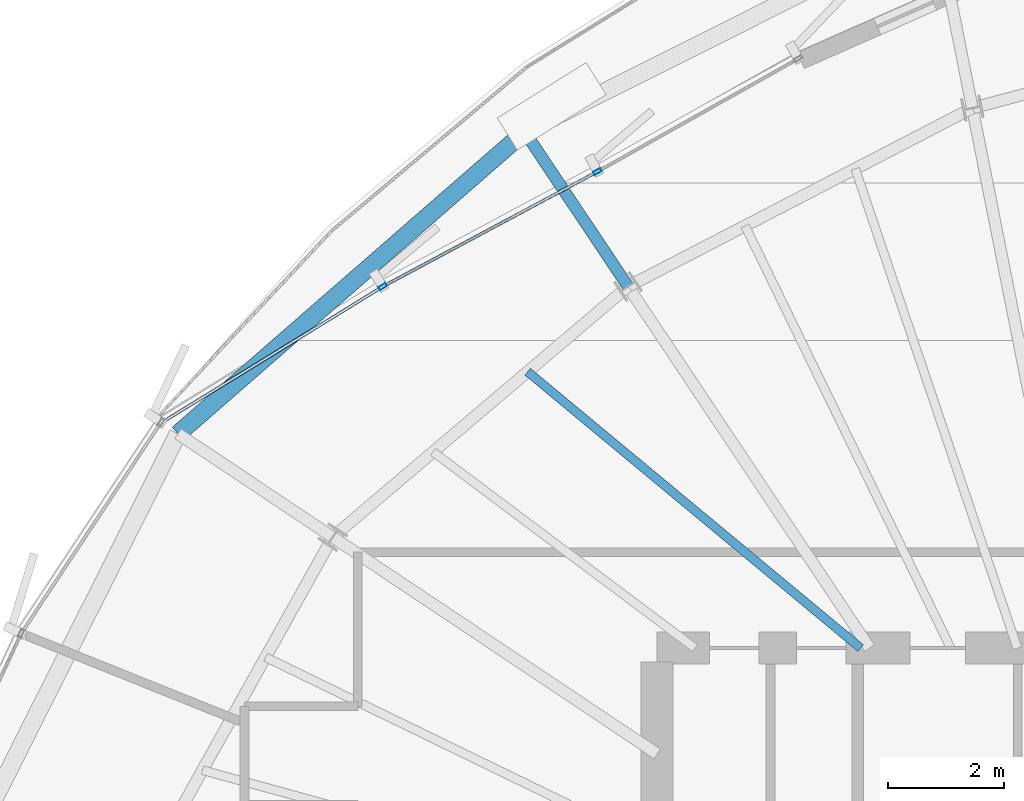
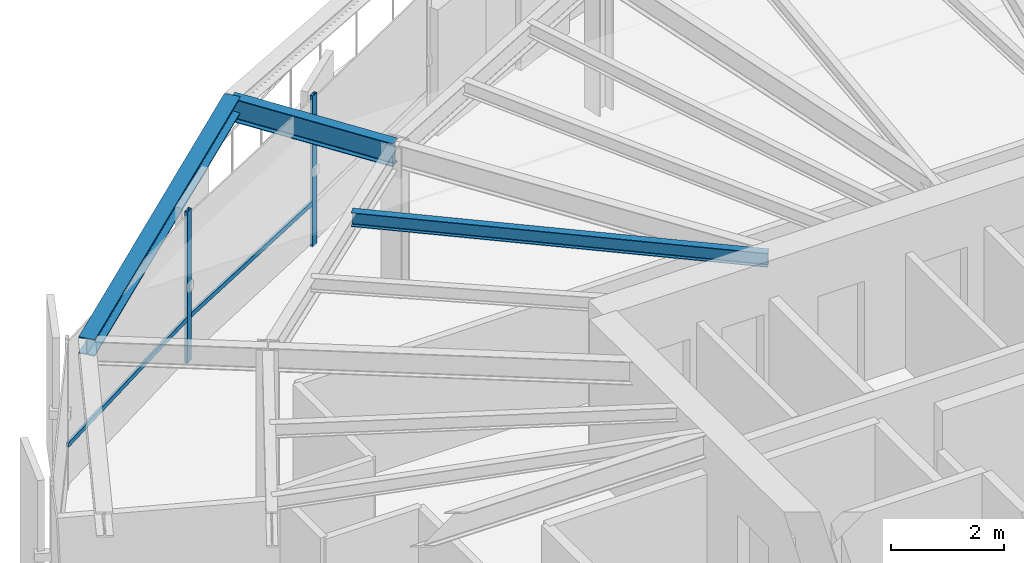
# One storey, part 19 of 33: 4 members, 3 beams, 1 element without a shape of its own.
"""IFC4 building model written with IfcOpenShell, lengths in metres."""

from ifc_helpers import new_model, si_unit, direction, frame, origin, origin_2d, place, context, subcontext, project, spatial, hollow_rectangle, i_section, extrude, source, transform, mapped, material, layer, layer_set, material_profile, profile_set, type_object, element, aggregate, save


model = new_model("IFC4")

# Units and contexts
model_context = context("Model", 3, precision=1e-05, world=origin(), true_north=direction((0.0, 1.0)))
body_context = subcontext(model_context, "Body", "Model", "MODEL_VIEW")
ifc_project = project(units=[si_unit("LENGTHUNIT", "METRE"), si_unit("AREAUNIT", "SQUARE_METRE"), si_unit("VOLUMEUNIT", "CUBIC_METRE"), si_unit("PLANEANGLEUNIT", "RADIAN"), si_unit("MASSUNIT", "GRAM", prefix="KILO"), si_unit("THERMODYNAMICTEMPERATUREUNIT", "KELVIN")], contexts=[model_context])

# Site, building, storey
site_placement = place(None, origin())
site = spatial("IfcSite", under=ifc_project, at=site_placement, CompositionType="ELEMENT")
building_placement = place(site_placement, origin())
building = spatial("IfcBuilding", under=site, at=building_placement, Name="Kethvar Cultural Tower", CompositionType="ELEMENT")
storey_placement = place(building_placement, frame((0.0, 0.0, 211.39990234375)))
storey = spatial("IfcBuildingStorey", under=building, at=storey_placement, Name="L55", CompositionType="ELEMENT", Elevation=211.39990234375)

# Beams
ifc_material_1 = material(Name="Steel S355J2", Category="steel")
ifc_material_profile_1 = material_profile(ifc_material_1, i_section(OverallWidth=0.199951171875, OverallDepth=0.5, WebThickness=0.01025390625, FlangeThickness=0.01611328125, FilletRadius=0.02099609375, at=origin_2d()), Name="Steel S355J2 — IPE500")
ifc_profile_set_1 = profile_set([ifc_material_profile_1], Name="Steel S355J2 — IPE500")
beam_type_1 = type_object("IfcBeamType", Name="BM-IPE500", PredefinedType="BEAM", material=ifc_profile_set_1)
shared_shape_1 = source(origin(), body_context, "Body", "SweptSolid", [
    extrude(i_section(OverallWidth=0.199951171875, OverallDepth=0.5, WebThickness=0.01025390625, FlangeThickness=0.01611328125, FilletRadius=0.02099609375, at=origin_2d()), origin(), (0.0, 0.0, 1.0), 3.199951171875),
])
beam_1_placement = place(storey_placement, frame((37.498779296875, 41.720458984375, 3.008056640625), z_axis=(-0.555580212716, 0.831462943996, 0.0), x_axis=(-0.831462943996, -0.555580212716, 0.0)))
element("IfcBeam", 1, at=beam_1_placement, inside=storey, type_object=beam_type_1, Name="L55 Perimeter Cantilever Beam RC-06", PredefinedType="BEAM", context=body_context, shape_type="MappedRepresentation", body=[
    mapped(shared_shape_1, transform((0.0, 0.0, 0.0), scale=1.0)),
])
ifc_material_profile_2 = material_profile(ifc_material_1, i_section(OverallWidth=0.300048828125, OverallDepth=0.360107421875, WebThickness=0.012451171875, FlangeThickness=0.0224609375, FilletRadius=0.027099609375, at=origin_2d()), Name="Steel S355J2 — HEB360")
ifc_profile_set_2 = profile_set([ifc_material_profile_2], Name="Steel S355J2 — HEB360")
beam_type_2 = type_object("IfcBeamType", Name="BM-SP360", PredefinedType="SPANDREL", material=ifc_profile_set_2)
shared_shape_2 = source(origin(), body_context, "Body", "SweptSolid", [
    extrude(i_section(OverallWidth=0.300048828125, OverallDepth=0.360107421875, WebThickness=0.012451171875, FlangeThickness=0.0224609375, FilletRadius=0.027099609375, at=origin_2d()), origin(), (0.0, 0.0, 1.0), 7.908203125),
])
beam_2_placement = place(storey_placement, frame((35.720947265625, 44.381103515625, 3.078125), z_axis=(-0.754085541675, -0.656776214427, 0.0), x_axis=(0.656776214427, -0.754085541675, 0.0)))
element("IfcBeam", 2, at=beam_2_placement, inside=storey, type_object=beam_type_2, Name="L55 Perimeter Spandrel Beam SP-06", PredefinedType="SPANDREL", context=body_context, shape_type="MappedRepresentation", body=[
    mapped(shared_shape_2, transform((0.0, 0.0, 0.0), scale=1.0)),
])
ifc_material_profile_3 = material_profile(ifc_material_1, i_section(OverallWidth=0.14990234375, OverallDepth=0.300048828125, WebThickness=0.007080078125, FlangeThickness=0.0107421875, FilletRadius=0.014892578125, at=origin_2d()), Name="Steel S355J2 — IPE300")
ifc_profile_set_3 = profile_set([ifc_material_profile_3], Name="Steel S355J2 — IPE300")
beam_type_3 = type_object("IfcBeamType", Name="BM-J300", PredefinedType="JOIST", material=ifc_profile_set_3)
shared_shape_3 = source(origin(), body_context, "Body", "SweptSolid", [
    extrude(i_section(OverallWidth=0.14990234375, OverallDepth=0.300048828125, WebThickness=0.007080078125, FlangeThickness=0.0107421875, FilletRadius=0.014892578125, at=origin_2d()), origin(), (0.0, 0.0, 1.0), 7.444580078125),
])
beam_3_placement = place(storey_placement, frame((41.5, 35.5, 3.108154296875), z_axis=(-0.769483166858, 0.638667093188, 0.0), x_axis=(-0.638667093188, -0.769483166858, 0.0)))
element("IfcBeam", 3, at=beam_3_placement, inside=storey, type_object=beam_type_3, Name="L55 Composite Floor Joist J-06A", PredefinedType="JOIST", context=body_context, shape_type="MappedRepresentation", body=[
    mapped(shared_shape_3, transform((0.0, 0.0, 0.0), scale=1.0)),
])

# Curtain wall, members
ifc_material_2 = material(Name="Aluminium 6063-T6", Category="aluminium")
ifc_layer = layer(ifc_material_2, 0.179931640625, Name="Aluminium 6063-T6", Category="aluminium")
ifc_layer_set = layer_set([ifc_layer], Name="Aluminium 6063-T6 (180 mm)")
curtain_wall_type = type_object("IfcCurtainWallType", Name="CW-SYS-04-Z34", PredefinedType="NOTDEFINED", material=ifc_layer_set)
curtain_wall_placement = place(storey_placement, origin())
curtain_wall = element("IfcCurtainWall", 4, at=curtain_wall_placement, inside=storey, type_object=curtain_wall_type, Name="L55 Curtain Wall Run 02", PredefinedType="NOTDEFINED")
ifc_material_profile_4 = material_profile(ifc_material_2, hollow_rectangle(XDim=0.06005859375, YDim=0.139892578125, WallThickness=0.0048828125, at=origin_2d()), Name="Aluminium 6063-T6 — RHS140x60x5")
ifc_profile_set_4 = profile_set([ifc_material_profile_4], Name="Aluminium 6063-T6 — RHS140x60x5")
member_type_1 = type_object("IfcMemberType", Name="CW-SYS-04-Z34-MUL", PredefinedType="MULLION", material=ifc_profile_set_4)
shared_shape_4 = source(origin(), body_context, "Body", "SweptSolid", [
    extrude(hollow_rectangle(XDim=0.06005859375, YDim=0.139892578125, WallThickness=0.0048828125, at=origin_2d()), origin(), (0.0, 0.0, 1.0), 3.260009765625),
])
member_1_placement = place(storey_placement, frame((36.973876953125, 43.69677734375, 0.0), z_axis=(0.0, 0.0, 1.0), x_axis=(0.47198154544, -0.881608428252, 0.0)))
member_1 = element("IfcMember", 5, at=member_1_placement, type_object=member_type_1, Name="CW-L55-R02 Mullion 2", PredefinedType="MULLION", context=body_context, shape_type="MappedRepresentation", body=[
    mapped(shared_shape_4, transform((0.0, 0.0, 0.0), scale=1.0)),
])
member_2_placement = place(storey_placement, frame((33.27880859375, 41.71875, 0.0), z_axis=(0.0, 0.0, 1.0), x_axis=(0.524089960135, -0.851662910832, 0.0)))
member_2 = element("IfcMember", 6, at=member_2_placement, type_object=member_type_1, Name="CW-L55-R02 Mullion 3", PredefinedType="MULLION", context=body_context, shape_type="MappedRepresentation", body=[
    mapped(shared_shape_4, transform((0.0, 0.0, 0.0), scale=1.0)),
])
ifc_material_profile_5 = material_profile(ifc_material_2, hollow_rectangle(XDim=0.050048828125, YDim=0.10009765625, WallThickness=0.00390625, at=origin_2d()), Name="Aluminium 6063-T6 — RHS100x50x4")
ifc_profile_set_5 = profile_set([ifc_material_profile_5], Name="Aluminium 6063-T6 — RHS100x50x4")
member_type_2 = type_object("IfcMemberType", Name="CW-SYS-04-Z34-TRN", PredefinedType="USERDEFINED", material=ifc_profile_set_5)
shared_shape_5 = source(origin(), body_context, "Body", "SweptSolid", [
    extrude(hollow_rectangle(XDim=0.050048828125, YDim=0.10009765625, WallThickness=0.00390625, at=origin_2d()), origin(), (0.0, 0.0, 1.0), 4.111572265625),
])
member_3_placement = place(storey_placement, frame((36.935791015625, 43.67626953125, 0.9501953125), z_axis=(-0.881622054853, -0.471956091599, 0.0), x_axis=(0.471956091599, -0.881622054853, 0.0)))
member_3 = element("IfcMember", 7, at=member_3_placement, type_object=member_type_2, Name="CW-L55-R02 Transom 2", ObjectType="TRANSOM", PredefinedType="USERDEFINED", context=body_context, shape_type="MappedRepresentation", body=[
    mapped(shared_shape_5, transform((0.0, 0.0, 0.0), scale=1.0)),
])
shared_shape_6 = source(origin(), body_context, "Body", "SweptSolid", [
    extrude(hollow_rectangle(XDim=0.050048828125, YDim=0.10009765625, WallThickness=0.00390625, at=origin_2d()), origin(), (0.0, 0.0, 1.0), 4.427490234375),
])
member_4_placement = place(storey_placement, frame((33.241943359375, 41.696044921875, 0.9501953125), z_axis=(-0.851673462743, -0.524072812555, 0.0), x_axis=(0.524072812555, -0.851673462743, 0.0)))
member_4 = element("IfcMember", 8, at=member_4_placement, type_object=member_type_2, Name="CW-L55-R02 Transom 3", ObjectType="TRANSOM", PredefinedType="USERDEFINED", context=body_context, shape_type="MappedRepresentation", body=[
    mapped(shared_shape_6, transform((0.0, 0.0, 0.0), scale=1.0)),
])
aggregate(curtain_wall, [member_1, member_2, member_3, member_4])

save(model, "model.ifc")
